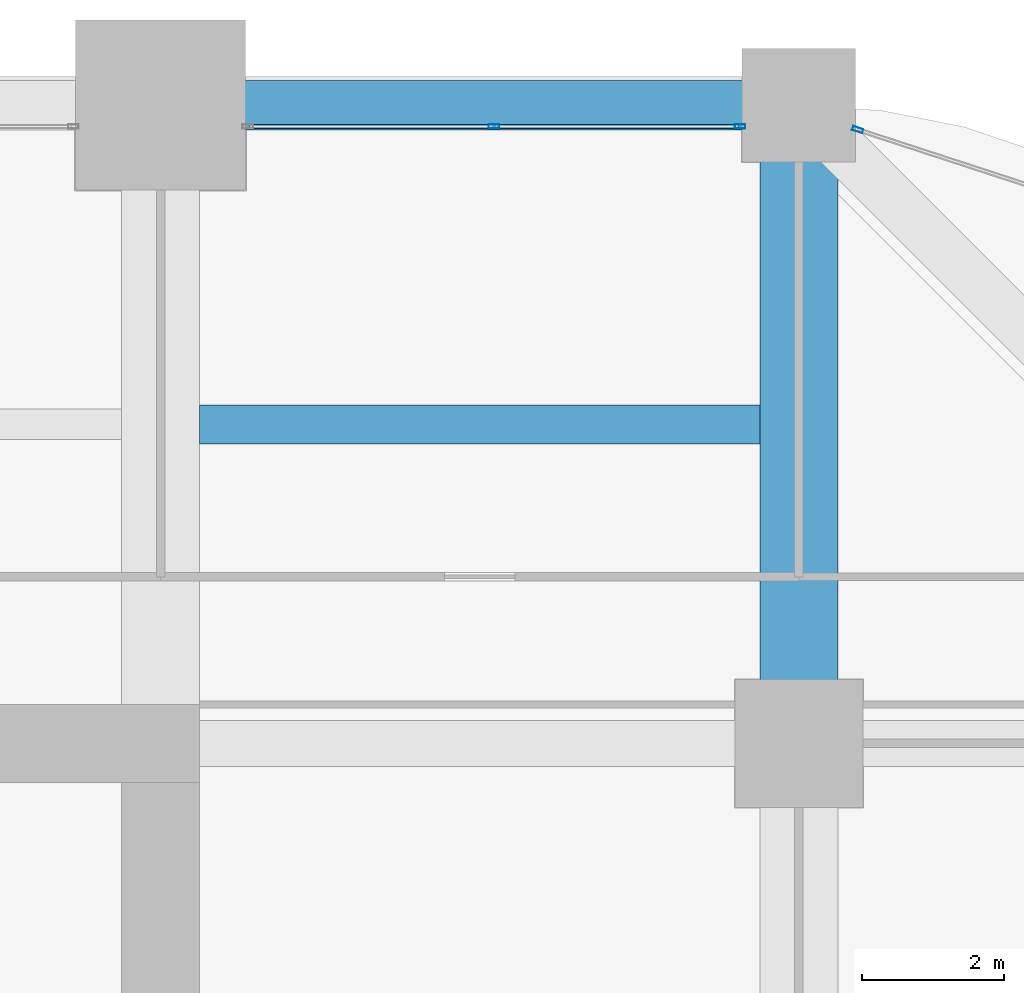
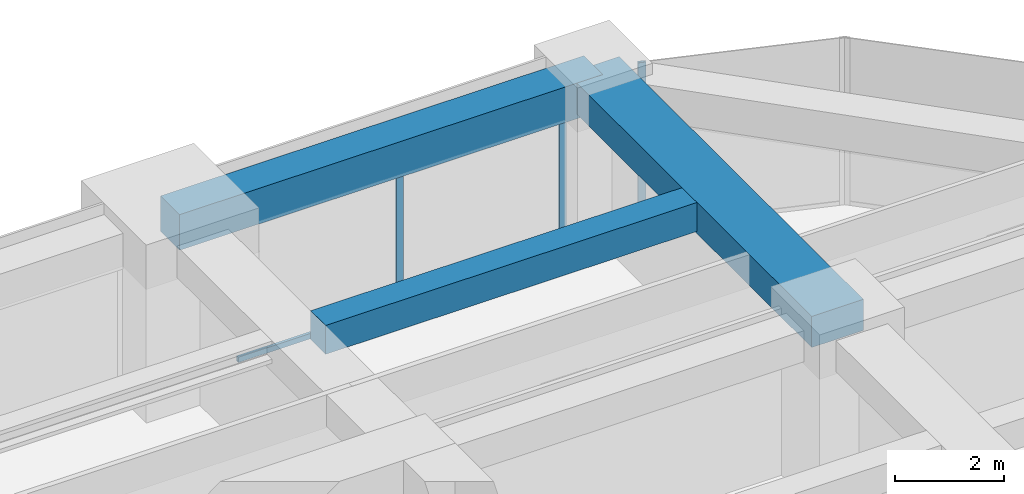
# One storey, part 33 of 41: 4 members, 3 beams, 2 elements without a shape of their own.
"""IFC4 building model written with IfcOpenShell, lengths in metres."""

import ifcopenshell
import ifcopenshell.guid

model = None  # the IFC model being written
_history = None  # IfcOwnerHistory: only IFC2X3 demands one
_inside = {}  # id of a spatial element -> (the spatial element, [elements in it])
_under = {}  # id of a project, library or spatial element -> (it, [spatial elements below it])
_declared = {}  # id of a project -> (the project, [libraries it declares])
_typed = {}  # id of a type object -> (the type object, [elements of that type])
_made_of = {}  # id of a material, layer set ... -> (it, [elements and type objects made of it])


def new_model(schema):
    """Start an empty IFC model of exactly this schema.

    Asked for "IFC4X3", IfcOpenShell would pick the latest addendum, in which some entities
    have other attributes; the version numbers below select the first issue.
    IFC2X3 requires an IfcOwnerHistory on every rooted entity: one is made here for all.
    """
    global model, _history
    if schema == "IFC4X3":
        model = ifcopenshell.file(schema_version=(4, 3, 0, 0))
    else:
        model = ifcopenshell.file(schema=schema)
    _inside.clear()
    _under.clear()
    _declared.clear()
    _typed.clear()
    _made_of.clear()
    _history = None
    if model.schema == "IFC2X3":
        org = make("IfcOrganization", Name="unknown")
        user = make(
            "IfcPersonAndOrganization",
            ThePerson=make("IfcPerson", FamilyName="unknown"),
            TheOrganization=org,
        )
        app = make(
            "IfcApplication",
            ApplicationDeveloper=org,
            Version="unknown",
            ApplicationFullName="unknown",
            ApplicationIdentifier="unknown",
        )
        _history = make(
            "IfcOwnerHistory",
            OwningUser=user,
            OwningApplication=app,
            ChangeAction="ADDED",
            CreationDate=0,
        )
    return model


def make(cls, **values):
    """One entity of the class cls with the attributes given. An attribute that is None is left unset."""
    return model.create_entity(
        cls, **{name: value for name, value in values.items() if value is not None}
    )


def rooted(cls, **values):
    """An entity with a GlobalId (a new one), such as an element, a storey or a relation."""
    return make(cls, GlobalId=ifcopenshell.guid.new(), OwnerHistory=_history, **values)


def si_unit(unit_type, name, prefix=None):
    """IfcSIUnit, for example si_unit("LENGTHUNIT", "METRE", prefix="MILLI")."""
    return make("IfcSIUnit", UnitType=unit_type, Prefix=prefix, Name=name)


def assignment(units):
    """IfcUnitAssignment: the units of a project."""
    return None if units is None else make("IfcUnitAssignment", Units=units)


def point(xyz):
    """IfcCartesianPoint."""
    return None if xyz is None else make("IfcCartesianPoint", Coordinates=xyz)


def direction(xyz):
    """IfcDirection."""
    return None if xyz is None else make("IfcDirection", DirectionRatios=xyz)


def frame(location, z_axis=None, x_axis=None):
    """IfcAxis2Placement3D, a coordinate frame: its origin and axes. An axis left out is left unset."""
    return make(
        "IfcAxis2Placement3D",
        Location=point(location),
        Axis=direction(z_axis),
        RefDirection=direction(x_axis),
    )


def frame_2d(location, x_axis=None):
    """IfcAxis2Placement2D, a coordinate frame in the plane: its origin and x axis."""
    return make(
        "IfcAxis2Placement2D", Location=point(location), RefDirection=direction(x_axis)
    )


def origin():
    """The frame at (0, 0, 0) with its axes left unset."""
    return frame((0.0, 0.0, 0.0))


def origin_2d():
    """The frame at (0, 0) in the plane with its x axis left unset."""
    return frame_2d((0.0, 0.0))


def place(relative_to, where):
    """IfcLocalPlacement: puts the frame where relative to a parent placement (None: the world)."""
    return make(
        "IfcLocalPlacement", PlacementRelTo=relative_to, RelativePlacement=where
    )


def context(
    kind, dimensions, precision=None, world=None, true_north=None, identifier=None
):
    """IfcGeometricRepresentationContext, for example the 3D "Model" context."""
    return make(
        "IfcGeometricRepresentationContext",
        ContextIdentifier=identifier,
        ContextType=kind,
        CoordinateSpaceDimension=dimensions,
        Precision=precision,
        WorldCoordinateSystem=world,
        TrueNorth=true_north,
    )


def subcontext(parent, identifier, kind, view, scale=None):
    """IfcGeometricRepresentationSubContext, for example "Body" below "Model"."""
    return make(
        "IfcGeometricRepresentationSubContext",
        ContextIdentifier=identifier,
        ContextType=kind,
        ParentContext=parent,
        TargetScale=scale,
        TargetView=view,
    )


def project(units=None, contexts=None):
    """IfcProject with its units and contexts."""
    return rooted(
        "IfcProject",
        Name="project",
        RepresentationContexts=contexts,
        UnitsInContext=assignment(units),
    )


def spatial(cls, under=None, at=None, **own):
    """A site, building, storey or space (cls), placed at a placement, below another one or the project."""
    s = rooted(cls, ObjectPlacement=at, **own)
    if under is not None:
        _under.setdefault(under.id(), (under, []))[1].append(s)
    return s


def profile(cls, at=None, kind="AREA", **sizes):
    """A parametric profile (cls). Its sizes go by their IFC names, for example OverallWidth=200.0."""
    return make(cls, ProfileType=kind, Position=at, **sizes)


def rectangle(**sizes):
    """IfcRectangleProfileDef."""
    return profile("IfcRectangleProfileDef", **sizes)


def hollow_rectangle(**sizes):
    """IfcRectangleHollowProfileDef."""
    return profile("IfcRectangleHollowProfileDef", **sizes)


def extrude(swept, where, along, depth):
    """IfcExtrudedAreaSolid: the profile swept, set in the frame where, extruded along a direction by depth."""
    return make(
        "IfcExtrudedAreaSolid",
        SweptArea=swept,
        Position=where,
        ExtrudedDirection=direction(along),
        Depth=depth,
    )


def shape(context_of_items, identifier, shape_type, items):
    """IfcShapeRepresentation: the items that make up one representation, for example the "Body"."""
    return make(
        "IfcShapeRepresentation",
        ContextOfItems=context_of_items,
        RepresentationIdentifier=identifier,
        RepresentationType=shape_type,
        Items=items,
    )


def material(Name=None, Category=None):
    """IfcMaterial."""
    return make("IfcMaterial", Name=Name, Category=Category)


def material_profile(
    of_material, cross_section, Name=None, Category=None, Priority=None
):
    """IfcMaterialProfile: a cross section and its material."""
    return make(
        "IfcMaterialProfile",
        Name=Name,
        Material=of_material,
        Profile=cross_section,
        Priority=Priority,
        Category=Category,
    )


def profile_set(profiles, Name=None, composite=None):
    """IfcMaterialProfileSet."""
    return make(
        "IfcMaterialProfileSet",
        Name=Name,
        MaterialProfiles=profiles,
        CompositeProfile=composite,
    )


def made_of(thing, what):
    """Note that an element or type object is made of a material, layer set ...; save() writes the relation."""
    if what is not None:
        _made_of.setdefault(what.id(), (what, []))[1].append(thing)
    return thing


def type_object(cls, material=None, **own):
    """A type object (cls), such as IfcWallType, which elements share."""
    return made_of(rooted(cls, **own), material)


def element(
    cls,
    number,
    at=None,
    inside=None,
    cuts=None,
    type_object=None,
    material=None,
    context=None,
    identifier="Body",
    shape_type=None,
    held_by="IfcProductDefinitionShape",
    body=None,
    shapes=None,
    **own,
):
    """One element of the class cls, such as IfcWall. Its Tag is "e" and its number.

    at: its placement. inside: the storey or other place that contains it. cuts: it is an
    opening in that element (IfcRelVoidsElement). A single representation is given by context,
    identifier, shape_type and body (its items); several are given by shapes. held_by: the class
    of the entity that holds the representations. save() writes the other relations.
    """
    e = rooted(cls, Tag="e%d" % number, ObjectPlacement=at, **own)
    if body is not None:
        shapes = [shape(context, identifier, shape_type, body)]
    if shapes is not None:
        e.Representation = make(held_by, Representations=shapes)
    if inside is not None:
        _inside.setdefault(inside.id(), (inside, []))[1].append(e)
    if cuts is not None:
        rooted(
            "IfcRelVoidsElement", RelatingBuildingElement=cuts, RelatedOpeningElement=e
        )
    if type_object is not None:
        _typed.setdefault(type_object.id(), (type_object, []))[1].append(e)
    return made_of(e, material)


def aggregate(whole, parts):
    """IfcRelAggregates: a whole, such as a stair, and the parts it consists of."""
    return rooted("IfcRelAggregates", RelatingObject=whole, RelatedObjects=parts)


def save(model, path):
    """Write the relations noted so far, then the file.

    IfcRelAggregates (storeys below a building ...), IfcRelContainedInSpatialStructure (elements
    in a storey), IfcRelDefinesByType, IfcRelAssociatesMaterial and IfcRelDeclares: one each for
    every whole, place, type object, material and project.
    """
    for whole, parts in _under.values():
        aggregate(whole, parts)
    for where, things in _inside.values():
        rooted(
            "IfcRelContainedInSpatialStructure",
            RelatedElements=things,
            RelatingStructure=where,
        )
    for kind, things in _typed.values():
        rooted("IfcRelDefinesByType", RelatedObjects=things, RelatingType=kind)
    for what, things in _made_of.values():
        rooted("IfcRelAssociatesMaterial", RelatedObjects=things, RelatingMaterial=what)
    for by, libraries in _declared.values():
        rooted("IfcRelDeclares", RelatingContext=by, RelatedDefinitions=libraries)
    model.write(path)


model = new_model("IFC4")

# Units and contexts
model_context = context("Model", 3, precision=1e-05, world=origin(), true_north=direction((0.0, 1.0)))
body_context = subcontext(model_context, "Body", "Model", "MODEL_VIEW")
ifc_project = project(units=[si_unit("LENGTHUNIT", "METRE"), si_unit("AREAUNIT", "SQUARE_METRE"), si_unit("VOLUMEUNIT", "CUBIC_METRE"), si_unit("PLANEANGLEUNIT", "RADIAN"), si_unit("MASSUNIT", "GRAM", prefix="KILO")], contexts=[model_context])

# Site, building, storey
site_placement = place(None, origin())
site = spatial("IfcSite", under=ifc_project, at=site_placement, CompositionType="ELEMENT")
building_placement = place(site_placement, origin())
building = spatial("IfcBuilding", under=site, at=building_placement, Name="Zorevar Civic Tower", CompositionType="ELEMENT")
storey_placement = place(building_placement, frame((0.0, 0.0, 137.0)))
storey = spatial("IfcBuildingStorey", under=building, at=storey_placement, Name="L33", CompositionType="ELEMENT", Elevation=137.0)

# Beams
ifc_material_1 = material(Name="Concrete C50/60", Category="concrete")
ifc_material_profile_1 = material_profile(ifc_material_1, rectangle(XDim=1.10009765625, YDim=0.699951171875, at=origin_2d()), Name="RC 1100x700")
ifc_profile_set_1 = profile_set([ifc_material_profile_1], Name="Concrete C50/60")
beam_type_1 = type_object("IfcBeamType", Name="Beam RC 1100x700", PredefinedType="BEAM", material=ifc_profile_set_1)
beam_1_placement = place(storey_placement, frame((54.0, 36.0, 3.39990234375), z_axis=(0.0, 1.0, 0.0), x_axis=(-1.0, 0.0, 0.0)))
element("IfcBeam", 1, at=beam_1_placement, inside=storey, type_object=beam_type_1, Name="Girder L34", PredefinedType="BEAM", context=body_context, shape_type="SweptSolid", body=[
    extrude(rectangle(XDim=1.10009765625, YDim=0.699951171875, at=origin_2d()), origin(), (0.0, 0.0, 1.0), 9.0),
])
ifc_material_2 = material(Name="Concrete C50/60", Category="concrete")
ifc_material_profile_2 = material_profile(ifc_material_2, rectangle(XDim=0.550048828125, YDim=0.64990234375, at=origin_2d()), Name="RC 550x650")
ifc_profile_set_2 = profile_set([ifc_material_profile_2], Name="Concrete C50/60")
beam_type_2 = type_object("IfcBeamType", Name="Beam RC 550x650", PredefinedType="BEAM", material=ifc_profile_set_2)
beam_2_placement = place(storey_placement, frame((45.550048828125, 40.5, 3.425048828125), z_axis=(1.0, 0.0, 0.0), x_axis=(0.0, 1.0, 0.0)))
element("IfcBeam", 2, at=beam_2_placement, inside=storey, type_object=beam_type_2, Name="Secondary beam L34", PredefinedType="BEAM", context=body_context, shape_type="SweptSolid", body=[
    extrude(rectangle(XDim=0.550048828125, YDim=0.64990234375, at=origin_2d()), origin(), (0.0, 0.0, 1.0), 7.89990234375),
])

# Curtain wall, members
ifc_material_3 = material(Name="Dark grey solar-control glass in black aluminium frame", Category="aluminium")
curtain_wall_type = type_object("IfcCurtainWallType", Name="Curtain wall CW3 mid zone", PredefinedType="NOTDEFINED", material=ifc_material_3)
curtain_wall_1_placement = place(storey_placement, origin())
curtain_wall_1 = element("IfcCurtainWall", 3, at=curtain_wall_1_placement, inside=storey, type_object=curtain_wall_type, Name="CW3 L33", PredefinedType="NOTDEFINED")
ifc_material_4 = material(Name="Aluminium, black anodised", Category="aluminium")
ifc_material_profile_3 = material_profile(ifc_material_4, hollow_rectangle(XDim=0.06005859375, YDim=0.14990234375, WallThickness=0.00390625, at=origin_2d()), Name="AL 150x60x4")
ifc_profile_set_3 = profile_set([ifc_material_profile_3], Name="Aluminium, black anodised")
member_type_1 = type_object("IfcMemberType", Name="CW3 mullion AL 150x60x4", PredefinedType="MULLION", material=ifc_profile_set_3)
member_1_placement = place(storey_placement, frame((49.699951171875, 44.699951171875, 0.06005859375), z_axis=(0.0, 0.0, 1.0), x_axis=(0.0, 1.0, 0.0)))
member_1 = element("IfcMember", 4, at=member_1_placement, type_object=member_type_1, Name="CW3 mullion 2", PredefinedType="MULLION", context=body_context, shape_type="SweptSolid", body=[
    extrude(hollow_rectangle(XDim=0.06005859375, YDim=0.14990234375, WallThickness=0.00390625, at=origin_2d()), origin(), (0.0, 0.0, 1.0), 2.889892578125),
])
member_2_placement = place(storey_placement, frame((53.169921875, 44.699951171875, 0.0), z_axis=(0.0, 0.0, 1.0), x_axis=(0.0, 1.0, 0.0)))
member_2 = element("IfcMember", 5, at=member_2_placement, type_object=member_type_1, Name="CW3 mullion 3", PredefinedType="MULLION", context=body_context, shape_type="SweptSolid", body=[
    extrude(hollow_rectangle(XDim=0.06005859375, YDim=0.14990234375, WallThickness=0.00390625, at=origin_2d()), origin(), (0.0, 0.0, 1.0), 2.949951171875),
])

# Curtain wall, member
curtain_wall_2_placement = place(storey_placement, origin())
curtain_wall_2 = element("IfcCurtainWall", 6, at=curtain_wall_2_placement, inside=storey, type_object=curtain_wall_type, Name="CW3 L33", PredefinedType="NOTDEFINED")
member_3_placement = place(storey_placement, frame((54.82861328125, 44.65380859375, 0.0), z_axis=(0.0, 0.0, 1.0), x_axis=(-0.310263169163, -0.950650706548, 0.0)))
member_3 = element("IfcMember", 7, at=member_3_placement, type_object=member_type_1, Name="CW3 mullion 2", PredefinedType="MULLION", context=body_context, shape_type="SweptSolid", body=[
    extrude(hollow_rectangle(XDim=0.06005859375, YDim=0.14990234375, WallThickness=0.00390625, at=origin_2d()), origin(), (0.0, 0.0, 1.0), 3.75),
])
aggregate(curtain_wall_2, [member_3])

# Member
ifc_material_5 = material(Name="Aluminium, black anodised", Category="aluminium")
ifc_material_profile_4 = material_profile(ifc_material_5, hollow_rectangle(XDim=0.06005859375, YDim=0.1201171875, WallThickness=0.0029296875, at=origin_2d()), Name="AL 120x60x3")
ifc_profile_set_4 = profile_set([ifc_material_profile_4], Name="Aluminium, black anodised")
member_type_2 = type_object("IfcMemberType", Name="CW3 transom AL 120x60x3", PredefinedType="USERDEFINED", material=ifc_profile_set_4)
member_4_placement = place(storey_placement, frame((46.260009765625, 44.699951171875, 0.030029296875), z_axis=(1.0, 0.0, 0.0), x_axis=(0.0, 1.0, 0.0)))
member_4 = element("IfcMember", 8, at=member_4_placement, type_object=member_type_2, Name="CW3 sill transom", ObjectType="TRANSOM", PredefinedType="USERDEFINED", context=body_context, shape_type="SweptSolid", body=[
    extrude(hollow_rectangle(XDim=0.06005859375, YDim=0.1201171875, WallThickness=0.0029296875, at=origin_2d()), origin(), (0.0, 0.0, 1.0), 6.8798828125),
])

aggregate(curtain_wall_1, [member_1, member_2, member_4])

# Beam
ifc_material_6 = material(Name="Concrete C50/60", Category="concrete")
ifc_material_profile_5 = material_profile(ifc_material_6, rectangle(XDim=0.699951171875, YDim=0.800048828125, at=origin_2d()), Name="RC 700x800")
ifc_profile_set_5 = profile_set([ifc_material_profile_5], Name="Concrete C50/60")
beam_type_3 = type_object("IfcBeamType", Name="Edge beam RC 700x800", PredefinedType="SPANDREL", material=ifc_profile_set_5)
beam_3_placement = place(storey_placement, frame((45.0, 45.0, 3.35009765625), z_axis=(1.0, 0.0, 0.0), x_axis=(0.0, 1.0, 0.0)))
element("IfcBeam", 9, at=beam_3_placement, inside=storey, type_object=beam_type_3, Name="Edge beam L34", PredefinedType="SPANDREL", context=body_context, shape_type="SweptSolid", body=[
    extrude(rectangle(XDim=0.699951171875, YDim=0.800048828125, at=origin_2d()), origin(), (0.0, 0.0, 1.0), 9.0),
])

save(model, "model.ifc")
